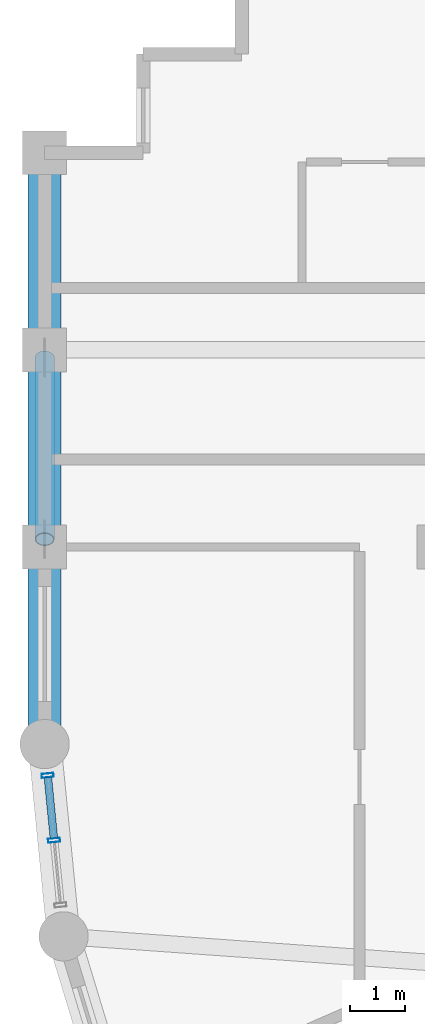
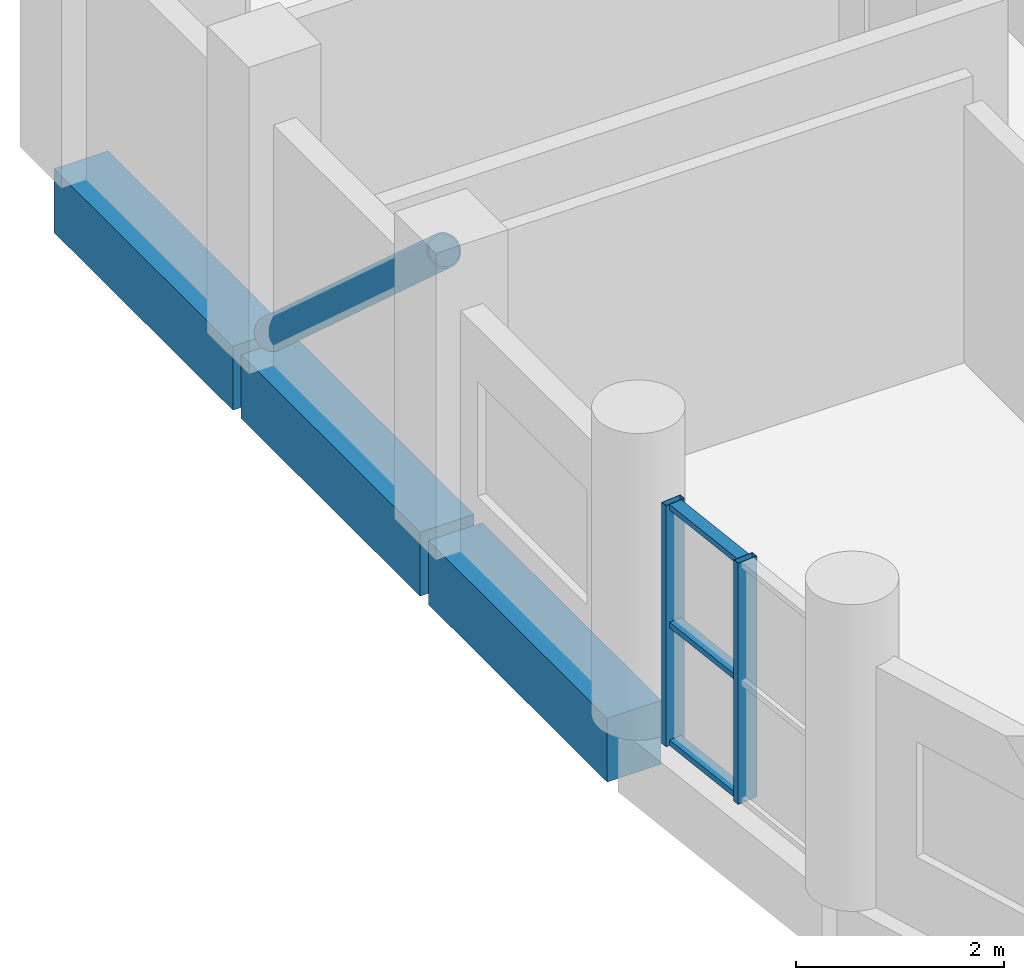
# One storey, part 5 of 11: 6 members, 3 beams, 1 element without a shape of its own.
"""IFC4 building model written with IfcOpenShell, lengths in metres."""

from ifc_helpers import new_model, si_unit, direction, frame, origin, origin_2d, place, context, subcontext, project, spatial, rectangle, hollow_rectangle, hollow_circle, extrude, material, layer, layer_set, material_profile, profile_set, type_object, element, aggregate, save


model = new_model("IFC4")

# Units and contexts
model_context = context("Model", 3, precision=1e-05, world=origin(), true_north=direction((0.0, 1.0)))
body_context = subcontext(model_context, "Body", "Model", "MODEL_VIEW")
ifc_project = project(units=[si_unit("LENGTHUNIT", "METRE"), si_unit("AREAUNIT", "SQUARE_METRE"), si_unit("VOLUMEUNIT", "CUBIC_METRE"), si_unit("PLANEANGLEUNIT", "RADIAN"), si_unit("MASSUNIT", "GRAM", prefix="KILO")], contexts=[model_context])

# Site, building, storey
site_placement = place(None, origin())
site = spatial("IfcSite", under=ifc_project, at=site_placement, CompositionType="ELEMENT")
building_placement = place(site_placement, origin())
building = spatial("IfcBuilding", under=site, at=building_placement, Name="Solnavia Interchange Tower", CompositionType="ELEMENT")
storey_placement = place(building_placement, frame((0.0, 0.0, 239.0)))
storey = spatial("IfcBuildingStorey", under=building, at=storey_placement, Name="L60", CompositionType="ELEMENT", Elevation=239.0)

# Beams
ifc_material_1 = material(Name="Concrete C50/60", Category="concrete")
ifc_material_profile_1 = material_profile(ifc_material_1, rectangle(XDim=0.60009765625, YDim=0.75, at=origin_2d()), Name="RC 600x750")
ifc_profile_set_1 = profile_set([ifc_material_profile_1], Name="Concrete C50/60")
beam_type = type_object("IfcBeamType", Name="Beam-Spandrel-RC600x750", PredefinedType="SPANDREL", material=ifc_profile_set_1)
beam_1_placement = place(storey_placement, frame((7.199951171875, 32.320068359375, -0.375), z_axis=(0.0, -1.0, 0.0), x_axis=(1.0, 0.0, 0.0)))
element("IfcBeam", 1, at=beam_1_placement, inside=storey, type_object=beam_type, Name="SPB-L60-25 Framed-tube perimeter spandrel beam", PredefinedType="SPANDREL", context=body_context, shape_type="SweptSolid", body=[
    extrude(rectangle(XDim=0.60009765625, YDim=0.75, at=origin_2d()), origin(), (0.0, 0.0, 1.0), 3.440185546875),
])
beam_2_placement = place(storey_placement, frame((7.199951171875, 28.719970703125, -0.375), z_axis=(0.0, -1.0, 0.0), x_axis=(1.0, 0.0, 0.0)))
element("IfcBeam", 2, at=beam_2_placement, inside=storey, type_object=beam_type, Name="SPB-L60-26 Framed-tube perimeter spandrel beam", PredefinedType="SPANDREL", context=body_context, shape_type="SweptSolid", body=[
    extrude(rectangle(XDim=0.60009765625, YDim=0.75, at=origin_2d()), origin(), (0.0, 0.0, 1.0), 3.43994140625),
])
beam_3_placement = place(storey_placement, frame((7.199951171875, 25.1201171875, -0.375), z_axis=(0.0, -1.0, 0.0), x_axis=(1.0, 0.0, 0.0)))
element("IfcBeam", 3, at=beam_3_placement, inside=storey, type_object=beam_type, Name="SPB-L60-27 Framed-tube perimeter spandrel beam", PredefinedType="SPANDREL", context=body_context, shape_type="SweptSolid", body=[
    extrude(rectangle(XDim=0.60009765625, YDim=0.75, at=origin_2d()), origin(), (0.0, 0.0, 1.0), 3.440185546875),
])

# Member
ifc_material_2 = material(Name="Steel S460", Category="steel")
ifc_material_profile_2 = material_profile(ifc_material_2, hollow_circle(Radius=0.177734375, WallThickness=0.01611328125, at=origin_2d()), Name="CHS 355.6x16")
ifc_profile_set_2 = profile_set([ifc_material_profile_2], Name="Steel S460")
member_type_1 = type_object("IfcMemberType", Name="Brace-Perim-CHS355", PredefinedType="BRACE", material=ifc_profile_set_2)
member_1_placement = place(storey_placement, frame((7.199951171875, 28.659912109375, 0.179931640625), z_axis=(0.0, -0.743054991638, 0.669230363479), x_axis=(1.0, 0.0, 0.0)))
element("IfcMember", 4, at=member_1_placement, inside=storey, type_object=member_type_1, Name="BRC-L60-01 Perimeter tube diagonal brace", PredefinedType="BRACE", context=body_context, shape_type="SweptSolid", body=[
    extrude(hollow_circle(Radius=0.177734375, WallThickness=0.01611328125, at=origin_2d()), origin(), (0.0, 0.0, 1.0), 4.4677734375),
])

# Curtain wall, members
ifc_material_3 = material(Name="Aluminium Alloy 6063-T6", Category="aluminium")
ifc_layer = layer(ifc_material_3, 0.239990234375)
ifc_layer_set = layer_set([ifc_layer], Name="Aluminium Alloy 6063-T6")
curtain_wall_type = type_object("IfcCurtainWallType", Name="CurtainWall-Drum-CTW2", PredefinedType="NOTDEFINED", material=ifc_layer_set)
curtain_wall_placement = place(storey_placement, origin())
curtain_wall = element("IfcCurtainWall", 5, at=curtain_wall_placement, inside=storey, type_object=curtain_wall_type, Name="CTW-L60-D37 CTW-2 curtain wall", PredefinedType="NOTDEFINED")
ifc_material_profile_3 = material_profile(ifc_material_3, hollow_rectangle(XDim=0.074951171875, YDim=0.219970703125, WallThickness=0.0048828125, at=origin_2d()), Name="ALU 220x75x5")
ifc_profile_set_3 = profile_set([ifc_material_profile_3], Name="Aluminium Alloy 6063-T6")
member_type_2 = type_object("IfcMemberType", Name="CW-Mullion-CWM-2", PredefinedType="MULLION", material=ifc_profile_set_3)
member_2_placement = place(storey_placement, frame((7.25634765625, 21.02783203125, 0.0), z_axis=(0.0, 0.0, 1.0), x_axis=(0.098043088306, -0.995182170678, 0.0)))
member_2 = element("IfcMember", 6, at=member_2_placement, type_object=member_type_2, Name="CTW-2 mullion 1", PredefinedType="MULLION", context=body_context, shape_type="SweptSolid", body=[
    extrude(hollow_rectangle(XDim=0.074951171875, YDim=0.219970703125, WallThickness=0.0048828125, at=origin_2d()), origin(), (0.0, 0.0, 1.0), 2.830078125),
])
member_3_placement = place(storey_placement, frame((7.373046875, 19.843994140625, 0.0), z_axis=(0.0, 0.0, 1.0), x_axis=(0.098043088306, -0.995182170678, 0.0)))
member_3 = element("IfcMember", 7, at=member_3_placement, type_object=member_type_2, Name="CTW-2 mullion 2", PredefinedType="MULLION", context=body_context, shape_type="SweptSolid", body=[
    extrude(hollow_rectangle(XDim=0.074951171875, YDim=0.219970703125, WallThickness=0.0048828125, at=origin_2d()), origin(), (0.0, 0.0, 1.0), 2.830078125),
])
ifc_material_profile_4 = material_profile(ifc_material_3, hollow_rectangle(XDim=0.06494140625, YDim=0.139892578125, WallThickness=0.00390625, at=origin_2d()), Name="ALU 140x65x4")
ifc_profile_set_4 = profile_set([ifc_material_profile_4], Name="Aluminium Alloy 6063-T6")
member_type_3 = type_object("IfcMemberType", Name="CW-Transom-CWT-2", PredefinedType="USERDEFINED", material=ifc_profile_set_4)
member_4_placement = place(storey_placement, frame((7.260009765625, 20.990478515625, 0.032470703125), z_axis=(0.098137234257, -0.995172891136, 0.0), x_axis=(0.0, 0.0, 1.0)))
member_4 = element("IfcMember", 8, at=member_4_placement, type_object=member_type_3, Name="CTW-2 transom 1.1", ObjectType="TRANSOM", PredefinedType="USERDEFINED", context=body_context, shape_type="SweptSolid", body=[
    extrude(hollow_rectangle(XDim=0.06494140625, YDim=0.139892578125, WallThickness=0.00390625, at=origin_2d()), origin(), (0.0, 0.0, 1.0), 1.114501953125),
])
member_5_placement = place(storey_placement, frame((7.260009765625, 20.990478515625, 1.4150390625), z_axis=(0.098137234257, -0.995172891136, 0.0), x_axis=(0.0, 0.0, 1.0)))
member_5 = element("IfcMember", 9, at=member_5_placement, type_object=member_type_3, Name="CTW-2 transom 1.2", ObjectType="TRANSOM", PredefinedType="USERDEFINED", context=body_context, shape_type="SweptSolid", body=[
    extrude(hollow_rectangle(XDim=0.06494140625, YDim=0.139892578125, WallThickness=0.00390625, at=origin_2d()), origin(), (0.0, 0.0, 1.0), 1.114501953125),
])
member_6_placement = place(storey_placement, frame((7.260009765625, 20.990478515625, 2.797607421875), z_axis=(0.098137234257, -0.995172891136, 0.0), x_axis=(0.0, 0.0, 1.0)))
member_6 = element("IfcMember", 10, at=member_6_placement, type_object=member_type_3, Name="CTW-2 transom 1.3", ObjectType="TRANSOM", PredefinedType="USERDEFINED", context=body_context, shape_type="SweptSolid", body=[
    extrude(hollow_rectangle(XDim=0.06494140625, YDim=0.139892578125, WallThickness=0.00390625, at=origin_2d()), origin(), (0.0, 0.0, 1.0), 1.114501953125),
])
aggregate(curtain_wall, [member_2, member_3, member_4, member_5, member_6])

save(model, "model.ifc")
